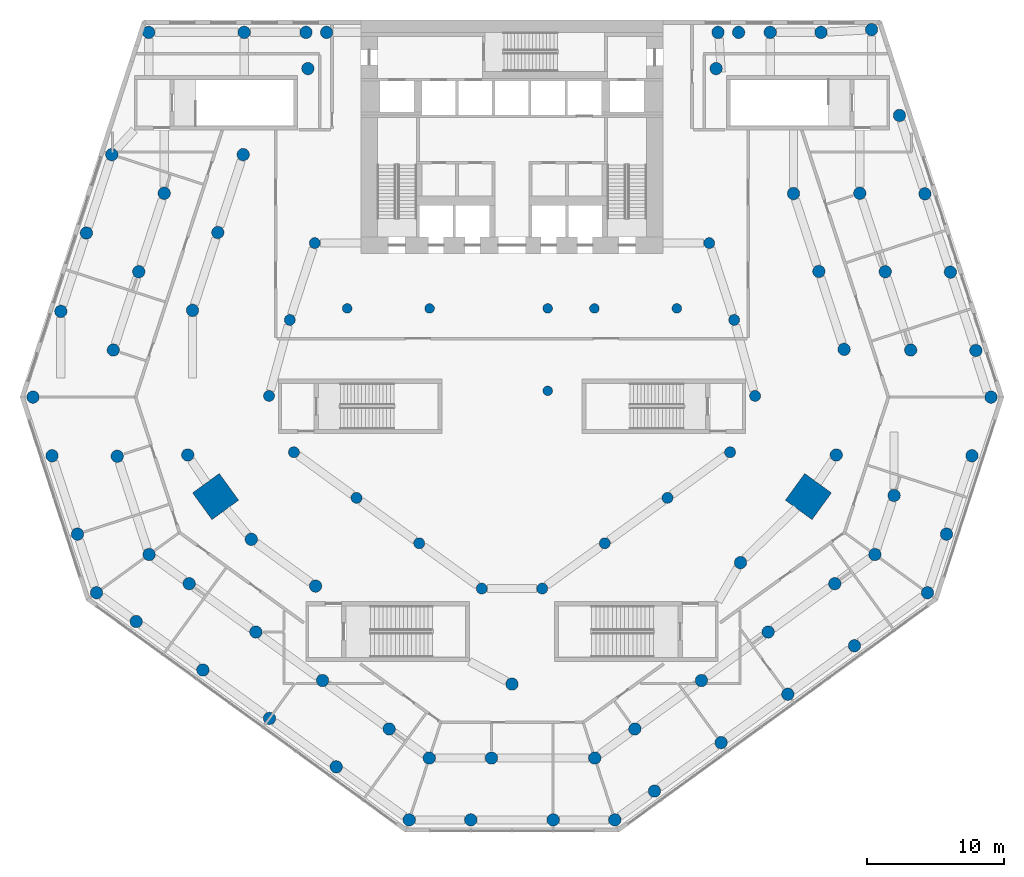
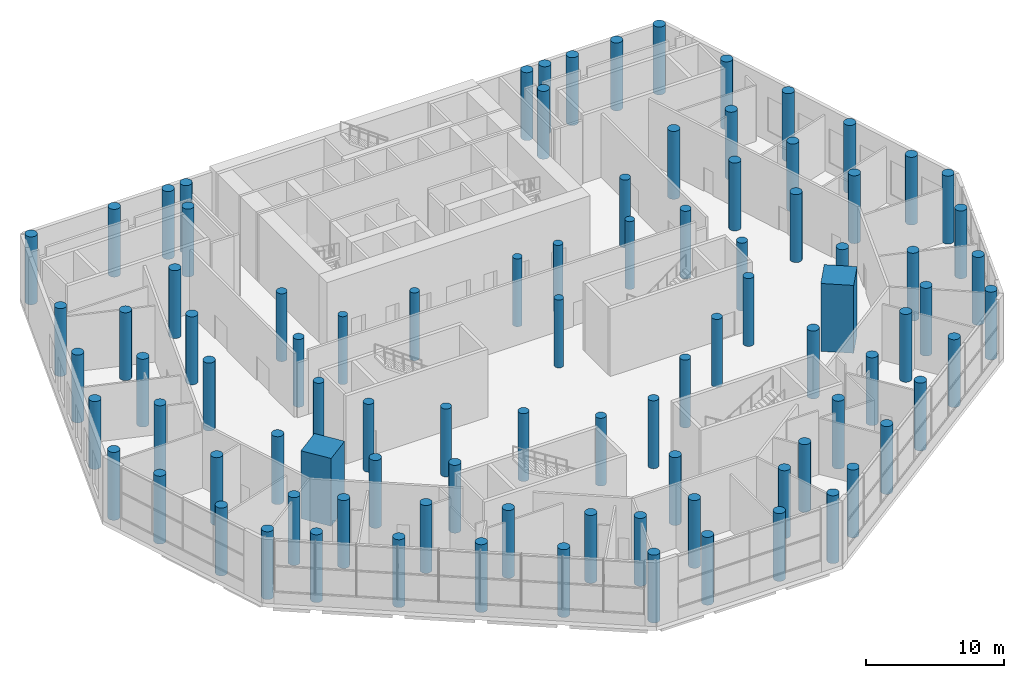
# One storey, part 1 of 19: 93 columns.
"""IFC4 building model written with IfcOpenShell, lengths in metres."""

from ifc_helpers import new_model, si_unit, direction, frame, origin, origin_2d, place, context, subcontext, project, spatial, rectangle, circle, extrude, material, material_profile, profile_set, type_object, element, save


model = new_model("IFC4")

# Units and contexts
model_context = context("Model", 3, precision=1e-05, world=origin(), true_north=direction((0.0, 1.0)))
body_context = subcontext(model_context, "Body", "Model", "MODEL_VIEW")
ifc_project = project(units=[si_unit("LENGTHUNIT", "METRE"), si_unit("AREAUNIT", "SQUARE_METRE"), si_unit("VOLUMEUNIT", "CUBIC_METRE"), si_unit("PLANEANGLEUNIT", "RADIAN"), si_unit("MASSUNIT", "GRAM", prefix="KILO")], contexts=[model_context])

# Site, building, storey
site_placement = place(None, origin())
site = spatial("IfcSite", under=ifc_project, at=site_placement, CompositionType="ELEMENT")
building_placement = place(site_placement, origin())
building = spatial("IfcBuilding", under=site, at=building_placement, Name="White Candle Pilgrim Tower", CompositionType="ELEMENT")
storey_placement = place(building_placement, frame((0.0, 0.0, 23.0)))
storey = spatial("IfcBuildingStorey", under=building, at=storey_placement, Name="L03", CompositionType="ELEMENT", Elevation=23.0)

# Columns
ifc_material = material(Name="Concrete C80/95", Category="concrete")
ifc_material_profile_1 = material_profile(ifc_material, circle(Radius=0.35009765625, at=origin_2d()), Name="RC-COL D700")
ifc_profile_set_1 = profile_set([ifc_material_profile_1], Name="Concrete C80/95")
column_type_1 = type_object("IfcColumnType", Name="Interior column RC-COL D700 C80/95", PredefinedType="COLUMN", material=ifc_profile_set_1)
for number, where, z_axis, x_axis, name in (
    (1, (58.0, 67.0, 0.0), (0.0, 0.0, 1.0), (1.0, 0.0, 0.0), "L03 column I01"),
    (2, (64.0, 67.0, 0.0), (0.0, 0.0, 1.0), (1.0, 0.0, 0.0), "L03 column I02"),
    (3, (72.60009765625, 61.0, 0.0), (0.0, 0.0, 1.0), (1.0, 0.0, 0.0), "L03 column I03"),
    (4, (72.60009765625, 67.0, 0.0), (0.0, 0.0, 1.0), (1.0, 0.0, 0.0), "L03 column I04"),
    (5, (76.0, 67.0, 0.0), (0.0, 0.0, 1.0), (1.0, 0.0, 0.0), "L03 column I05"),
    (6, (82.0, 67.0, 0.0), (0.0, 0.0, 1.0), (1.0, 0.0, 0.0), "L03 column I06"),
):
    element("IfcColumn", number, at=place(storey_placement, frame(where, z_axis=z_axis, x_axis=x_axis)), inside=storey, type_object=column_type_1, Name=name, PredefinedType="COLUMN", context=body_context, shape_type="SweptSolid", body=[
        extrude(circle(Radius=0.35009765625, at=origin_2d()), origin(), (0.0, 0.0, 1.0), 6.0),
    ])
ifc_material_profile_2 = material_profile(ifc_material, rectangle(XDim=2.39990234375, YDim=2.39990234375, at=origin_2d()), Name="RC 2400x2400")
ifc_profile_set_2 = profile_set([ifc_material_profile_2], Name="Concrete C80/95")
column_type_2 = type_object("IfcColumnType", Name="Mega column RC 2400x2400 C80/95", PredefinedType="COLUMN", material=ifc_profile_set_2)
for number, where, z_axis, x_axis, name in (
    (7, (48.419921875, 53.300048828125, 0.0), (0.0, 0.0, 1.0), (-0.809016994375, -0.587785252292, 0.0), "L03 mega column T02"),
    (8, (91.580078125, 53.300048828125, 0.0), (0.0, 0.0, 1.0), (0.809016994375, -0.587785252292, 0.0), "L03 mega column T07"),
):
    element("IfcColumn", number, at=place(storey_placement, frame(where, z_axis=z_axis, x_axis=x_axis)), inside=storey, type_object=column_type_2, Name=name, PredefinedType="COLUMN", context=body_context, shape_type="SweptSolid", body=[
        extrude(rectangle(XDim=2.39990234375, YDim=2.39990234375, at=origin_2d()), origin(), (0.0, 0.0, 1.0), 6.0),
    ])
ifc_material_profile_3 = material_profile(ifc_material, circle(Radius=0.449951171875, at=origin_2d()), Name="RC-COL D900")
ifc_profile_set_3 = profile_set([ifc_material_profile_3], Name="Concrete C80/95")
column_type_3 = type_object("IfcColumnType", Name="Perimeter column RC-COL D900 C80/95", PredefinedType="COLUMN", material=ifc_profile_set_3)
for number, where, z_axis, x_axis, name in (
    (9, (46.389892578125, 56.330078125, 0.0), (0.0, 0.0, 1.0), (1.0, 0.0, 0.0), "L03 column T01"),
    (10, (51.02001953125, 50.18994140625, 0.0), (0.0, 0.0, 1.0), (1.0, 0.0, 0.0), "L03 column T03"),
    (11, (55.699951171875, 46.780029296875, 0.0), (0.0, 0.0, 1.0), (1.0, 0.0, 0.0), "L03 column T04"),
    (12, (70.0, 39.64990234375, 0.0), (0.0, 0.0, 1.0), (1.0, 0.0, 0.0), "L03 column T05"),
    (13, (86.639892578125, 48.489990234375, 0.0), (0.0, 0.0, 1.0), (1.0, 0.0, 0.0), "L03 column T06"),
    (14, (93.610107421875, 56.330078125, 0.0), (0.0, 0.0, 1.0), (1.0, 0.0, 0.0), "L03 column T08"),
    (15, (94.179931640625, 64.02001953125, 0.0), (0.0, 0.0, 1.0), (1.0, 0.0, 0.0), "L03 column T09"),
    (16, (92.340087890625, 69.68994140625, 0.0), (0.0, 0.0, 1.0), (1.0, 0.0, 0.0), "L03 column T10"),
    (17, (90.5, 75.360107421875, 0.0), (0.0, 0.0, 1.0), (1.0, 0.0, 0.0), "L03 column T11"),
    (18, (84.860107421875, 84.4599609375, 0.0), (0.0, 0.0, 1.0), (1.0, 0.0, 0.0), "L03 column T12"),
    (19, (55.139892578125, 84.4599609375, 0.0), (0.0, 0.0, 1.0), (1.0, 0.0, 0.0), "L03 column T13"),
    (20, (50.429931640625, 78.199951171875, 0.0), (0.0, 0.0, 1.0), (1.0, 0.0, 0.0), "L03 column T14"),
    (21, (48.580078125, 72.530029296875, 0.0), (0.0, 0.0, 1.0), (1.0, 0.0, 0.0), "L03 column T15"),
    (22, (46.739990234375, 66.860107421875, 0.0), (0.0, 0.0, 1.0), (1.0, 0.0, 0.0), "L03 column T16"),
    (23, (35.1240234375, 60.5390625, 0.0), (0.0, 0.0, 1.0), (1.0, 0.0, 0.0), "L03 column B01"),
    (24, (36.510009765625, 56.27294921875, 0.0), (0.0, 0.0, 1.0), (1.0, 0.0, 0.0), "L03 column B02"),
    (25, (38.364013671875, 50.56591796875, 0.0), (0.0, 0.0, 1.0), (1.0, 0.0, 0.0), "L03 column B03"),
    (26, (39.75, 46.300048828125, 0.0), (0.0, 0.0, 1.0), (1.0, 0.0, 0.0), "L03 column B04"),
    (27, (42.636962890625, 44.201904296875, 0.0), (0.0, 0.0, 1.0), (1.0, 0.0, 0.0), "L03 column B05"),
    (28, (47.491943359375, 40.676025390625, 0.0), (0.0, 0.0, 1.0), (1.0, 0.0, 0.0), "L03 column B06"),
    (29, (52.345947265625, 37.14892578125, 0.0), (0.0, 0.0, 1.0), (1.0, 0.0, 0.0), "L03 column B07"),
    (30, (57.199951171875, 33.6220703125, 0.0), (0.0, 0.0, 1.0), (1.0, 0.0, 0.0), "L03 column B08"),
    (31, (62.513916015625, 29.760986328125, 0.0), (0.0, 0.0, 1.0), (1.0, 0.0, 0.0), "L03 column B09"),
    (32, (67.0, 29.760986328125, 0.0), (0.0, 0.0, 1.0), (1.0, 0.0, 0.0), "L03 column B10"),
    (33, (73.0, 29.760986328125, 0.0), (0.0, 0.0, 1.0), (1.0, 0.0, 0.0), "L03 column B11"),
    (34, (77.486083984375, 29.760986328125, 0.0), (0.0, 0.0, 1.0), (1.0, 0.0, 0.0), "L03 column B12"),
    (35, (80.373046875, 31.85888671875, 0.0), (0.0, 0.0, 1.0), (1.0, 0.0, 0.0), "L03 column B13"),
    (36, (85.22705078125, 35.385986328125, 0.0), (0.0, 0.0, 1.0), (1.0, 0.0, 0.0), "L03 column B14"),
    (37, (90.0810546875, 38.912109375, 0.0), (0.0, 0.0, 1.0), (1.0, 0.0, 0.0), "L03 column B15"),
    (38, (94.93603515625, 42.43896484375, 0.0), (0.0, 0.0, 1.0), (1.0, 0.0, 0.0), "L03 column B16"),
    (39, (100.25, 46.300048828125, 0.0), (0.0, 0.0, 1.0), (1.0, 0.0, 0.0), "L03 column B17"),
    (40, (101.635986328125, 50.56591796875, 0.0), (0.0, 0.0, 1.0), (1.0, 0.0, 0.0), "L03 column B18"),
    (41, (103.489990234375, 56.27294921875, 0.0), (0.0, 0.0, 1.0), (1.0, 0.0, 0.0), "L03 column B19"),
    (42, (104.8759765625, 60.5390625, 0.0), (0.0, 0.0, 1.0), (1.0, 0.0, 0.0), "L03 column B20"),
    (43, (103.77392578125, 63.93310546875, 0.0), (0.0, 0.0, 1.0), (1.0, 0.0, 0.0), "L03 column B21"),
    (44, (101.9189453125, 69.639892578125, 0.0), (0.0, 0.0, 1.0), (1.0, 0.0, 0.0), "L03 column B22"),
    (45, (100.06494140625, 75.345947265625, 0.0), (0.0, 0.0, 1.0), (1.0, 0.0, 0.0), "L03 column B23"),
    (46, (98.2109375, 81.052001953125, 0.0), (0.0, 0.0, 1.0), (1.0, 0.0, 0.0), "L03 column B24"),
    (47, (96.180908203125, 87.300048828125, 0.0), (0.0, 0.0, 1.0), (1.0, 0.0, 0.0), "L03 column B25"),
    (48, (92.5, 87.10009765625, 0.0), (0.0, 0.0, 1.0), (1.0, 0.0, 0.0), "L03 column B27"),
    (49, (86.5, 87.10009765625, 0.0), (0.0, 0.0, 1.0), (1.0, 0.0, 0.0), "L03 column B28"),
    (50, (56.5, 87.10009765625, 0.0), (0.0, 0.0, 1.0), (1.0, 0.0, 0.0), "L03 column B29"),
    (51, (50.5, 87.10009765625, 0.0), (0.0, 0.0, 1.0), (1.0, 0.0, 0.0), "L03 column B30"),
    (52, (43.5439453125, 87.10009765625, 0.0), (0.0, 0.0, 1.0), (1.0, 0.0, 0.0), "L03 column B31"),
    (53, (40.862060546875, 78.198974609375, 0.0), (0.0, 0.0, 1.0), (1.0, 0.0, 0.0), "L03 column B33"),
    (54, (39.008056640625, 72.492919921875, 0.0), (0.0, 0.0, 1.0), (1.0, 0.0, 0.0), "L03 column B34"),
    (55, (37.153076171875, 66.787109375, 0.0), (0.0, 0.0, 1.0), (1.0, 0.0, 0.0), "L03 column B35"),
    (56, (41.2529296875, 56.237060546875, 0.0), (0.0, 0.0, 1.0), (1.0, 0.0, 0.0), "L03 column C01"),
    (57, (43.577880859375, 49.0810546875, 0.0), (0.0, 0.0, 1.0), (1.0, 0.0, 0.0), "L03 column C02"),
    (58, (46.49609375, 46.9609375, 0.0), (0.0, 0.0, 1.0), (1.0, 0.0, 0.0), "L03 column C03"),
    (59, (51.35009765625, 43.43408203125, 0.0), (0.0, 0.0, 1.0), (1.0, 0.0, 0.0), "L03 column C04"),
    (60, (56.2041015625, 39.907958984375, 0.0), (0.0, 0.0, 1.0), (1.0, 0.0, 0.0), "L03 column C05"),
    (61, (61.05810546875, 36.381103515625, 0.0), (0.0, 0.0, 1.0), (1.0, 0.0, 0.0), "L03 column C06"),
    (62, (63.97607421875, 34.260986328125, 0.0), (0.0, 0.0, 1.0), (1.0, 0.0, 0.0), "L03 column C07"),
    (63, (68.5, 34.260986328125, 0.0), (0.0, 0.0, 1.0), (1.0, 0.0, 0.0), "L03 column C08"),
    (64, (76.02392578125, 34.260986328125, 0.0), (0.0, 0.0, 1.0), (1.0, 0.0, 0.0), "L03 column C09"),
    (65, (78.94189453125, 36.381103515625, 0.0), (0.0, 0.0, 1.0), (1.0, 0.0, 0.0), "L03 column C10"),
    (66, (83.7958984375, 39.907958984375, 0.0), (0.0, 0.0, 1.0), (1.0, 0.0, 0.0), "L03 column C11"),
    (67, (88.64990234375, 43.43408203125, 0.0), (0.0, 0.0, 1.0), (1.0, 0.0, 0.0), "L03 column C12"),
    (68, (93.50390625, 46.9609375, 0.0), (0.0, 0.0, 1.0), (1.0, 0.0, 0.0), "L03 column C13"),
    (69, (96.422119140625, 49.0810546875, 0.0), (0.0, 0.0, 1.0), (1.0, 0.0, 0.0), "L03 column C14"),
    (70, (97.820068359375, 53.384033203125, 0.0), (0.0, 0.0, 1.0), (1.0, 0.0, 0.0), "L03 column C15"),
    (71, (99.030029296875, 63.968994140625, 0.0), (0.0, 0.0, 1.0), (1.0, 0.0, 0.0), "L03 column C16"),
    (72, (97.176025390625, 69.676025390625, 0.0), (0.0, 0.0, 1.0), (1.0, 0.0, 0.0), "L03 column C17"),
    (73, (95.322021484375, 75.382080078125, 0.0), (0.0, 0.0, 1.0), (1.0, 0.0, 0.0), "L03 column C18"),
    (74, (88.800048828125, 87.10009765625, 0.0), (0.0, 0.0, 1.0), (1.0, 0.0, 0.0), "L03 column C19"),
    (75, (85.0, 87.10009765625, 0.0), (0.0, 0.0, 1.0), (1.0, 0.0, 0.0), "L03 column C20"),
    (76, (55.0, 87.10009765625, 0.0), (0.0, 0.0, 1.0), (1.0, 0.0, 0.0), "L03 column C21"),
    (77, (44.677978515625, 75.382080078125, 0.0), (0.0, 0.0, 1.0), (1.0, 0.0, 0.0), "L03 column C23"),
    (78, (42.823974609375, 69.676025390625, 0.0), (0.0, 0.0, 1.0), (1.0, 0.0, 0.0), "L03 column C24"),
    (79, (40.969970703125, 63.968994140625, 0.0), (0.0, 0.0, 1.0), (1.0, 0.0, 0.0), "L03 column C25"),
):
    element("IfcColumn", number, at=place(storey_placement, frame(where, z_axis=z_axis, x_axis=x_axis)), inside=storey, type_object=column_type_3, Name=name, PredefinedType="COLUMN", context=body_context, shape_type="SweptSolid", body=[
        extrude(circle(Radius=0.449951171875, at=origin_2d()), origin(), (0.0, 0.0, 1.0), 6.0),
    ])
ifc_material_profile_4 = material_profile(ifc_material, circle(Radius=0.39990234375, at=origin_2d()), Name="RC-COL D800")
ifc_profile_set_4 = profile_set([ifc_material_profile_4], Name="Concrete C80/95")
column_type_4 = type_object("IfcColumnType", Name="Ring column RC-COL D800 C80/95", PredefinedType="COLUMN", material=ifc_profile_set_4)
for number, where, z_axis, x_axis, name in (
    (80, (52.31005859375, 60.6298828125, 0.0), (0.0, 0.0, 1.0), (1.0, 0.0, 0.0), "L03 column R01"),
    (81, (54.1201171875, 56.530029296875, 0.0), (0.0, 0.0, 1.0), (1.0, 0.0, 0.0), "L03 column R02"),
    (82, (58.679931640625, 53.2099609375, 0.0), (0.0, 0.0, 1.0), (1.0, 0.0, 0.0), "L03 column R03"),
    (83, (63.239990234375, 49.89990234375, 0.0), (0.0, 0.0, 1.0), (1.0, 0.0, 0.0), "L03 column R04"),
    (84, (67.800048828125, 46.60009765625, 0.0), (0.0, 0.0, 1.0), (1.0, 0.0, 0.0), "L03 column R05"),
    (85, (72.199951171875, 46.60009765625, 0.0), (0.0, 0.0, 1.0), (1.0, 0.0, 0.0), "L03 column R06"),
    (86, (76.760009765625, 49.89990234375, 0.0), (0.0, 0.0, 1.0), (1.0, 0.0, 0.0), "L03 column R07"),
    (87, (81.320068359375, 53.2099609375, 0.0), (0.0, 0.0, 1.0), (1.0, 0.0, 0.0), "L03 column R08"),
    (88, (85.8798828125, 56.530029296875, 0.0), (0.0, 0.0, 1.0), (1.0, 0.0, 0.0), "L03 column R09"),
    (89, (87.699951171875, 60.6298828125, 0.0), (0.0, 0.0, 1.0), (1.0, 0.0, 0.0), "L03 column R10"),
    (90, (86.179931640625, 66.159912109375, 0.0), (0.0, 0.0, 1.0), (1.0, 0.0, 0.0), "L03 column R11"),
    (91, (84.360107421875, 71.760009765625, 0.0), (0.0, 0.0, 1.0), (1.0, 0.0, 0.0), "L03 column R12"),
    (92, (55.639892578125, 71.760009765625, 0.0), (0.0, 0.0, 1.0), (1.0, 0.0, 0.0), "L03 column R13"),
    (93, (53.820068359375, 66.159912109375, 0.0), (0.0, 0.0, 1.0), (1.0, 0.0, 0.0), "L03 column R14"),
):
    element("IfcColumn", number, at=place(storey_placement, frame(where, z_axis=z_axis, x_axis=x_axis)), inside=storey, type_object=column_type_4, Name=name, PredefinedType="COLUMN", context=body_context, shape_type="SweptSolid", body=[
        extrude(circle(Radius=0.39990234375, at=origin_2d()), origin(), (0.0, 0.0, 1.0), 6.0),
    ])

save(model, "model.ifc")
